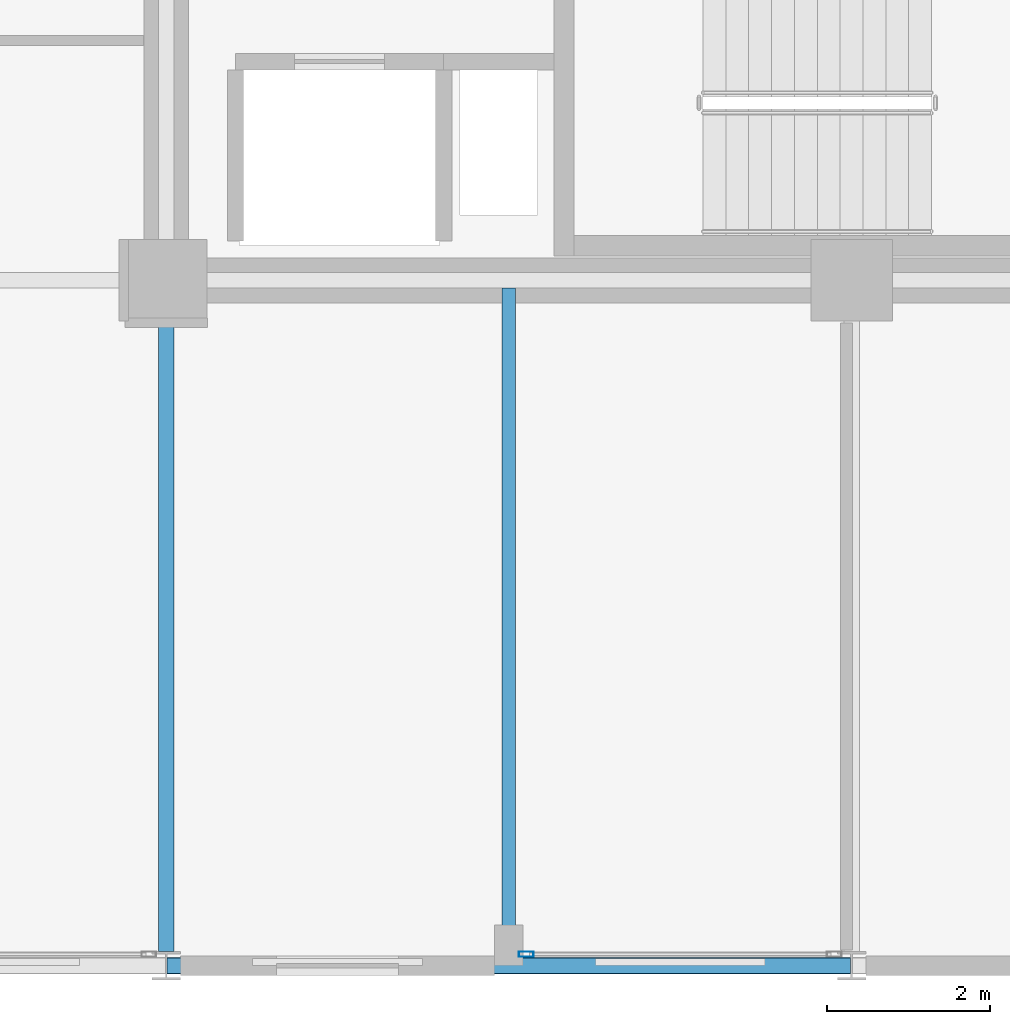
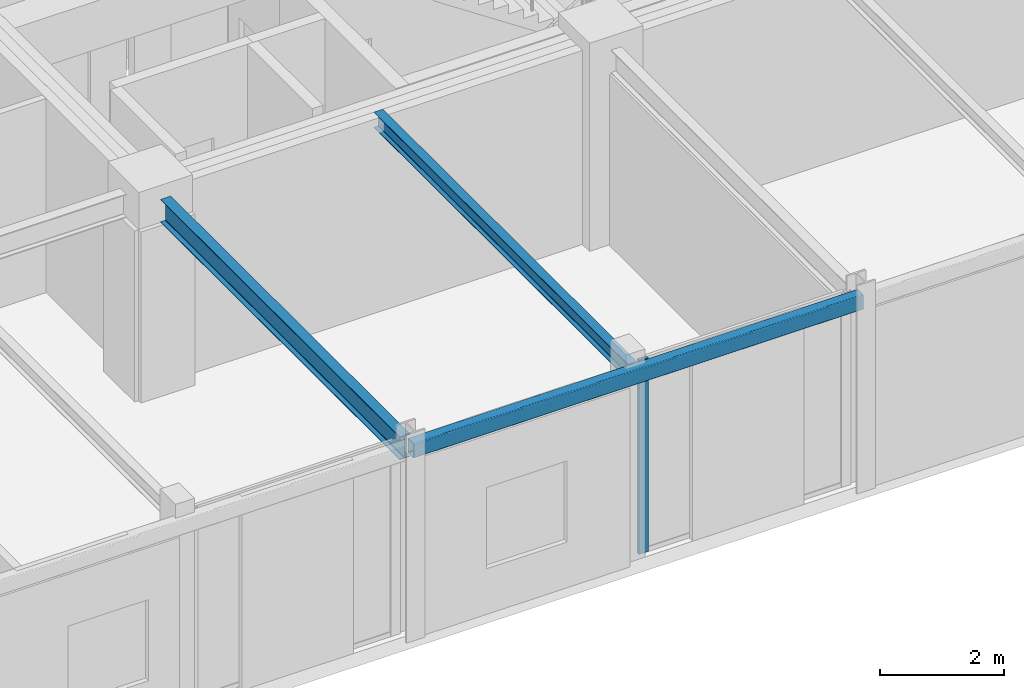
# One storey, part 7 of 29: 3 beams, 1 member, 1 element without a shape of its own.
"""IFC4 building model written with IfcOpenShell, lengths in metres."""

import ifcopenshell
import ifcopenshell.guid

model = None  # the IFC model being written
_history = None  # IfcOwnerHistory: only IFC2X3 demands one
_inside = {}  # id of a spatial element -> (the spatial element, [elements in it])
_under = {}  # id of a project, library or spatial element -> (it, [spatial elements below it])
_declared = {}  # id of a project -> (the project, [libraries it declares])
_typed = {}  # id of a type object -> (the type object, [elements of that type])
_made_of = {}  # id of a material, layer set ... -> (it, [elements and type objects made of it])


def new_model(schema):
    """Start an empty IFC model of exactly this schema.

    Asked for "IFC4X3", IfcOpenShell would pick the latest addendum, in which some entities
    have other attributes; the version numbers below select the first issue.
    IFC2X3 requires an IfcOwnerHistory on every rooted entity: one is made here for all.
    """
    global model, _history
    if schema == "IFC4X3":
        model = ifcopenshell.file(schema_version=(4, 3, 0, 0))
    else:
        model = ifcopenshell.file(schema=schema)
    _inside.clear()
    _under.clear()
    _declared.clear()
    _typed.clear()
    _made_of.clear()
    _history = None
    if model.schema == "IFC2X3":
        org = make("IfcOrganization", Name="unknown")
        user = make(
            "IfcPersonAndOrganization",
            ThePerson=make("IfcPerson", FamilyName="unknown"),
            TheOrganization=org,
        )
        app = make(
            "IfcApplication",
            ApplicationDeveloper=org,
            Version="unknown",
            ApplicationFullName="unknown",
            ApplicationIdentifier="unknown",
        )
        _history = make(
            "IfcOwnerHistory",
            OwningUser=user,
            OwningApplication=app,
            ChangeAction="ADDED",
            CreationDate=0,
        )
    return model


def make(cls, **values):
    """One entity of the class cls with the attributes given. An attribute that is None is left unset."""
    return model.create_entity(
        cls, **{name: value for name, value in values.items() if value is not None}
    )


def rooted(cls, **values):
    """An entity with a GlobalId (a new one), such as an element, a storey or a relation."""
    return make(cls, GlobalId=ifcopenshell.guid.new(), OwnerHistory=_history, **values)


def si_unit(unit_type, name, prefix=None):
    """IfcSIUnit, for example si_unit("LENGTHUNIT", "METRE", prefix="MILLI")."""
    return make("IfcSIUnit", UnitType=unit_type, Prefix=prefix, Name=name)


def assignment(units):
    """IfcUnitAssignment: the units of a project."""
    return None if units is None else make("IfcUnitAssignment", Units=units)


def point(xyz):
    """IfcCartesianPoint."""
    return None if xyz is None else make("IfcCartesianPoint", Coordinates=xyz)


def direction(xyz):
    """IfcDirection."""
    return None if xyz is None else make("IfcDirection", DirectionRatios=xyz)


def frame(location, z_axis=None, x_axis=None):
    """IfcAxis2Placement3D, a coordinate frame: its origin and axes. An axis left out is left unset."""
    return make(
        "IfcAxis2Placement3D",
        Location=point(location),
        Axis=direction(z_axis),
        RefDirection=direction(x_axis),
    )


def frame_2d(location, x_axis=None):
    """IfcAxis2Placement2D, a coordinate frame in the plane: its origin and x axis."""
    return make(
        "IfcAxis2Placement2D", Location=point(location), RefDirection=direction(x_axis)
    )


def origin():
    """The frame at (0, 0, 0) with its axes left unset."""
    return frame((0.0, 0.0, 0.0))


def origin_2d():
    """The frame at (0, 0) in the plane with its x axis left unset."""
    return frame_2d((0.0, 0.0))


def place(relative_to, where):
    """IfcLocalPlacement: puts the frame where relative to a parent placement (None: the world)."""
    return make(
        "IfcLocalPlacement", PlacementRelTo=relative_to, RelativePlacement=where
    )


def context(
    kind, dimensions, precision=None, world=None, true_north=None, identifier=None
):
    """IfcGeometricRepresentationContext, for example the 3D "Model" context."""
    return make(
        "IfcGeometricRepresentationContext",
        ContextIdentifier=identifier,
        ContextType=kind,
        CoordinateSpaceDimension=dimensions,
        Precision=precision,
        WorldCoordinateSystem=world,
        TrueNorth=true_north,
    )


def subcontext(parent, identifier, kind, view, scale=None):
    """IfcGeometricRepresentationSubContext, for example "Body" below "Model"."""
    return make(
        "IfcGeometricRepresentationSubContext",
        ContextIdentifier=identifier,
        ContextType=kind,
        ParentContext=parent,
        TargetScale=scale,
        TargetView=view,
    )


def project(units=None, contexts=None):
    """IfcProject with its units and contexts."""
    return rooted(
        "IfcProject",
        Name="project",
        RepresentationContexts=contexts,
        UnitsInContext=assignment(units),
    )


def spatial(cls, under=None, at=None, **own):
    """A site, building, storey or space (cls), placed at a placement, below another one or the project."""
    s = rooted(cls, ObjectPlacement=at, **own)
    if under is not None:
        _under.setdefault(under.id(), (under, []))[1].append(s)
    return s


def profile(cls, at=None, kind="AREA", **sizes):
    """A parametric profile (cls). Its sizes go by their IFC names, for example OverallWidth=200.0."""
    return make(cls, ProfileType=kind, Position=at, **sizes)


def hollow_rectangle(**sizes):
    """IfcRectangleHollowProfileDef."""
    return profile("IfcRectangleHollowProfileDef", **sizes)


def i_section(**sizes):
    """IfcIShapeProfileDef."""
    return profile("IfcIShapeProfileDef", **sizes)


def extrude(swept, where, along, depth):
    """IfcExtrudedAreaSolid: the profile swept, set in the frame where, extruded along a direction by depth."""
    return make(
        "IfcExtrudedAreaSolid",
        SweptArea=swept,
        Position=where,
        ExtrudedDirection=direction(along),
        Depth=depth,
    )


def shape(context_of_items, identifier, shape_type, items):
    """IfcShapeRepresentation: the items that make up one representation, for example the "Body"."""
    return make(
        "IfcShapeRepresentation",
        ContextOfItems=context_of_items,
        RepresentationIdentifier=identifier,
        RepresentationType=shape_type,
        Items=items,
    )


def material(Name=None, Category=None):
    """IfcMaterial."""
    return make("IfcMaterial", Name=Name, Category=Category)


def layer(
    of_material, thickness, ventilated=None, Name=None, Category=None, Priority=None
):
    """IfcMaterialLayer: one layer of a wall or slab, of a material (None: an air gap)."""
    return make(
        "IfcMaterialLayer",
        Material=of_material,
        LayerThickness=thickness,
        IsVentilated=ventilated,
        Name=Name,
        Category=Category,
        Priority=Priority,
    )


def layer_set(layers, Name=None):
    """IfcMaterialLayerSet."""
    return make("IfcMaterialLayerSet", MaterialLayers=layers, LayerSetName=Name)


def material_profile(
    of_material, cross_section, Name=None, Category=None, Priority=None
):
    """IfcMaterialProfile: a cross section and its material."""
    return make(
        "IfcMaterialProfile",
        Name=Name,
        Material=of_material,
        Profile=cross_section,
        Priority=Priority,
        Category=Category,
    )


def profile_set(profiles, Name=None, composite=None):
    """IfcMaterialProfileSet."""
    return make(
        "IfcMaterialProfileSet",
        Name=Name,
        MaterialProfiles=profiles,
        CompositeProfile=composite,
    )


def made_of(thing, what):
    """Note that an element or type object is made of a material, layer set ...; save() writes the relation."""
    if what is not None:
        _made_of.setdefault(what.id(), (what, []))[1].append(thing)
    return thing


def type_object(cls, material=None, **own):
    """A type object (cls), such as IfcWallType, which elements share."""
    return made_of(rooted(cls, **own), material)


def element(
    cls,
    number,
    at=None,
    inside=None,
    cuts=None,
    type_object=None,
    material=None,
    context=None,
    identifier="Body",
    shape_type=None,
    held_by="IfcProductDefinitionShape",
    body=None,
    shapes=None,
    **own,
):
    """One element of the class cls, such as IfcWall. Its Tag is "e" and its number.

    at: its placement. inside: the storey or other place that contains it. cuts: it is an
    opening in that element (IfcRelVoidsElement). A single representation is given by context,
    identifier, shape_type and body (its items); several are given by shapes. held_by: the class
    of the entity that holds the representations. save() writes the other relations.
    """
    e = rooted(cls, Tag="e%d" % number, ObjectPlacement=at, **own)
    if body is not None:
        shapes = [shape(context, identifier, shape_type, body)]
    if shapes is not None:
        e.Representation = make(held_by, Representations=shapes)
    if inside is not None:
        _inside.setdefault(inside.id(), (inside, []))[1].append(e)
    if cuts is not None:
        rooted(
            "IfcRelVoidsElement", RelatingBuildingElement=cuts, RelatedOpeningElement=e
        )
    if type_object is not None:
        _typed.setdefault(type_object.id(), (type_object, []))[1].append(e)
    return made_of(e, material)


def aggregate(whole, parts):
    """IfcRelAggregates: a whole, such as a stair, and the parts it consists of."""
    return rooted("IfcRelAggregates", RelatingObject=whole, RelatedObjects=parts)


def save(model, path):
    """Write the relations noted so far, then the file.

    IfcRelAggregates (storeys below a building ...), IfcRelContainedInSpatialStructure (elements
    in a storey), IfcRelDefinesByType, IfcRelAssociatesMaterial and IfcRelDeclares: one each for
    every whole, place, type object, material and project.
    """
    for whole, parts in _under.values():
        aggregate(whole, parts)
    for where, things in _inside.values():
        rooted(
            "IfcRelContainedInSpatialStructure",
            RelatedElements=things,
            RelatingStructure=where,
        )
    for kind, things in _typed.values():
        rooted("IfcRelDefinesByType", RelatedObjects=things, RelatingType=kind)
    for what, things in _made_of.values():
        rooted("IfcRelAssociatesMaterial", RelatedObjects=things, RelatingMaterial=what)
    for by, libraries in _declared.values():
        rooted("IfcRelDeclares", RelatingContext=by, RelatedDefinitions=libraries)
    model.write(path)


model = new_model("IFC4")

# Units and contexts
model_context = context("Model", 3, precision=1e-05, world=origin(), true_north=direction((0.0, 1.0)))
body_context = subcontext(model_context, "Body", "Model", "MODEL_VIEW")
ifc_project = project(units=[si_unit("LENGTHUNIT", "METRE"), si_unit("AREAUNIT", "SQUARE_METRE"), si_unit("VOLUMEUNIT", "CUBIC_METRE"), si_unit("PLANEANGLEUNIT", "RADIAN"), si_unit("MASSUNIT", "GRAM", prefix="KILO")], contexts=[model_context])

# Site, building, storey
site_placement = place(None, origin())
site = spatial("IfcSite", under=ifc_project, at=site_placement, CompositionType="ELEMENT")
building_placement = place(site_placement, origin())
building = spatial("IfcBuilding", under=site, at=building_placement, Name="Nerrivon Quay Data Exchange", CompositionType="ELEMENT")
storey_placement = place(building_placement, frame((0.0, 0.0, 183.699951171875)))
storey = spatial("IfcBuildingStorey", under=building, at=storey_placement, Name="L43", CompositionType="ELEMENT", Elevation=183.699951171875)

# Beams
ifc_material_1 = material(Name="Steel Grade 350", Category="steel")
ifc_material_profile_1 = material_profile(ifc_material_1, i_section(OverallWidth=0.18994140625, OverallDepth=0.4541015625, WebThickness=0.008544921875, FlangeThickness=0.0126953125, FilletRadius=0.011474609375, at=origin_2d()), Name="460UB67.1")
ifc_profile_set_1 = profile_set([ifc_material_profile_1], Name="Steel Grade 350")
beam_type_1 = type_object("IfcBeamType", Name="BM-G6-460UB67", PredefinedType="BEAM", material=ifc_profile_set_1)
beam_1_placement = place(storey_placement, frame((16.800048828125, 0.175048828125, 3.59814453125), z_axis=(0.0, 1.0, 0.0), x_axis=(-1.0, 0.0, 0.0)))
element("IfcBeam", 1, at=beam_1_placement, inside=storey, type_object=beam_type_1, Name="L43 NS Girder X=16.8 (0.0..8.4)", PredefinedType="BEAM", context=body_context, shape_type="SweptSolid", body=[
    extrude(i_section(OverallWidth=0.18994140625, OverallDepth=0.4541015625, WebThickness=0.008544921875, FlangeThickness=0.0126953125, FilletRadius=0.011474609375, at=origin_2d()), origin(), (0.0, 0.0, 1.0), 7.724853515625),
])
ifc_material_profile_2 = material_profile(ifc_material_1, i_section(OverallWidth=0.166015625, OverallDepth=0.306884765625, WebThickness=0.006591796875, FlangeThickness=0.01171875, FilletRadius=0.011474609375, at=origin_2d()), Name="310UB46.2")
ifc_profile_set_2 = profile_set([ifc_material_profile_2], Name="Steel Grade 350")
beam_type_2 = type_object("IfcBeamType", Name="BM-J5-310UB46", PredefinedType="JOIST", material=ifc_profile_set_2)
beam_2_placement = place(storey_placement, frame((21.0, 0.10009765625, 3.671630859375), z_axis=(0.0, 1.0, 0.0), x_axis=(-1.0, 0.0, 0.0)))
element("IfcBeam", 2, at=beam_2_placement, inside=storey, type_object=beam_type_2, Name="L43 Secondary Joist X=21.0 (0.0..8.4)", PredefinedType="JOIST", context=body_context, shape_type="SweptSolid", body=[
    extrude(i_section(OverallWidth=0.166015625, OverallDepth=0.306884765625, WebThickness=0.006591796875, FlangeThickness=0.01171875, FilletRadius=0.011474609375, at=origin_2d()), origin(), (0.0, 0.0, 1.0), 8.204345703125),
])
ifc_material_2 = material(Name="Steel Grade C350L0 (350 MPa)", Category="steel")
ifc_material_profile_3 = material_profile(ifc_material_2, hollow_rectangle(XDim=0.199951171875, YDim=0.300048828125, WallThickness=0.012451171875, InnerFilletRadius=0.018798828125, OuterFilletRadius=0.03125, at=origin_2d()), Name="300x200x12.5RHS")
ifc_profile_set_3 = profile_set([ifc_material_profile_3], Name="Steel Grade C350L0 (350 MPa)")
beam_type_3 = type_object("IfcBeamType", Name="BM-SP3-300x200RHS", PredefinedType="SPANDREL", material=ifc_profile_set_3)
beam_3_placement = place(storey_placement, frame((16.81005859375, 0.0, 3.675048828125), z_axis=(1.0, 0.0, 0.0), x_axis=(0.0, 1.0, 0.0)))
element("IfcBeam", 3, at=beam_3_placement, inside=storey, type_object=beam_type_3, Name="L43 EW Girder Y=0.0 (16.8..25.2)", PredefinedType="SPANDREL", context=body_context, shape_type="SweptSolid", body=[
    extrude(hollow_rectangle(XDim=0.199951171875, YDim=0.300048828125, WallThickness=0.012451171875, InnerFilletRadius=0.018798828125, OuterFilletRadius=0.03125, at=origin_2d()), origin(), (0.0, 0.0, 1.0), 8.3798828125),
])

# Curtain wall, member
ifc_material_3 = material(Name="Anodised aluminium 6063-T6", Category="aluminium")
ifc_layer = layer(ifc_material_3, 0.195068359375)
ifc_layer_set = layer_set([ifc_layer], Name="Anodised aluminium 6063-T6")
curtain_wall_type = type_object("IfcCurtainWallType", Name="CW-SYS-06", PredefinedType="NOTDEFINED", material=ifc_layer_set)
curtain_wall_placement = place(storey_placement, origin())
curtain_wall = element("IfcCurtainWall", 4, at=curtain_wall_placement, inside=storey, type_object=curtain_wall_type, Name="L43 Unitised Curtain Wall 24", PredefinedType="NOTDEFINED")
ifc_material_profile_4 = material_profile(ifc_material_3, hollow_rectangle(XDim=0.06494140625, YDim=0.179931640625, WallThickness=0.00341796875, at=origin_2d()), Name="ALU-MULL-180x65")
ifc_profile_set_4 = profile_set([ifc_material_profile_4], Name="Anodised aluminium 6063-T6")
member_type = type_object("IfcMemberType", Name="CWM-180x65", PredefinedType="MULLION", material=ifc_profile_set_4)
member_placement = place(storey_placement, frame((21.21240234375, 0.139892578125, 0.0), z_axis=(0.0, 0.0, 1.0), x_axis=(0.0, -1.0, 0.0)))
member = element("IfcMember", 5, at=member_placement, type_object=member_type, Name="CW06 mullion 2", PredefinedType="MULLION", context=body_context, shape_type="SweptSolid", body=[
    extrude(hollow_rectangle(XDim=0.06494140625, YDim=0.179931640625, WallThickness=0.00341796875, at=origin_2d()), origin(), (0.0, 0.0, 1.0), 3.824951171875),
])
aggregate(curtain_wall, [member])

save(model, "model.ifc")
